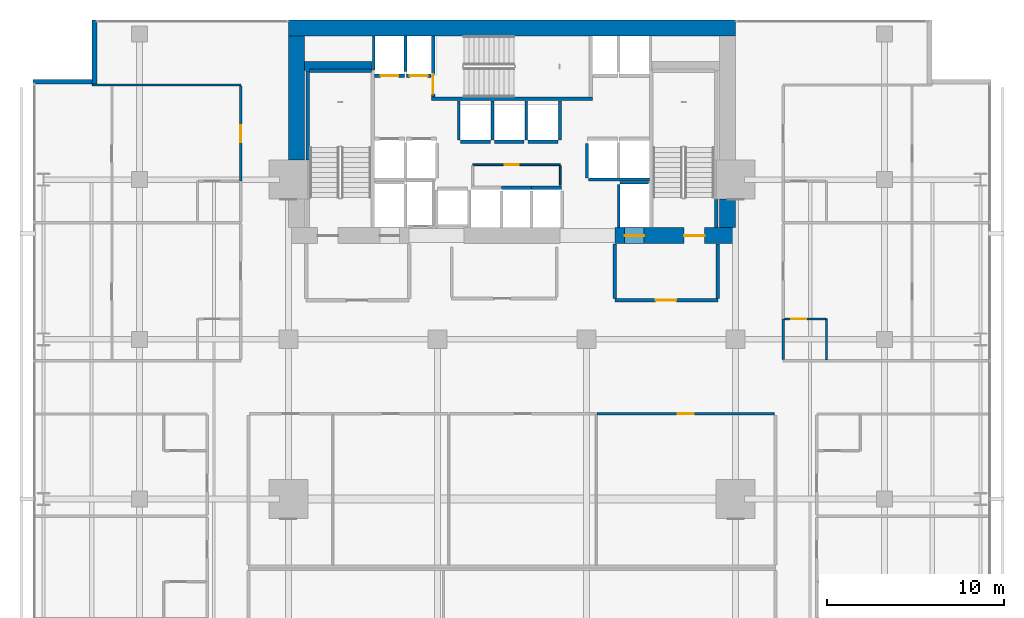
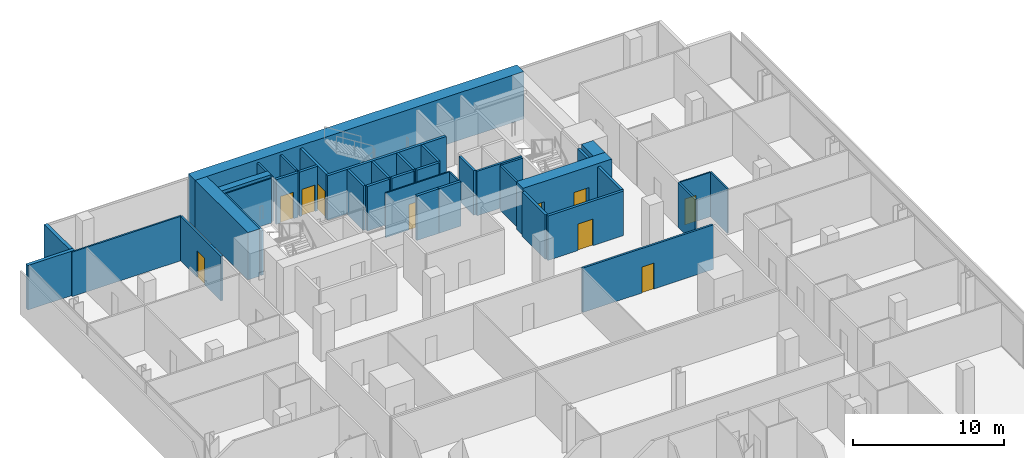
# One storey, part 36 of 40: 40 walls, 10 doors, 10 openings.
"""IFC4 building model written with IfcOpenShell, lengths in metres."""

from ifc_helpers import new_model, si_unit, direction, frame, frame_2d, origin, place, context, subcontext, project, spatial, rectangle, extrude, material, layer, layer_set, type_object, element, fill, save


model = new_model("IFC4")

# Units and contexts
model_context = context("Model", 3, precision=1e-05, world=origin(), true_north=direction((0.0, 1.0)))
body_context = subcontext(model_context, "Body", "Model", "MODEL_VIEW")
ifc_project = project(units=[si_unit("LENGTHUNIT", "METRE"), si_unit("AREAUNIT", "SQUARE_METRE"), si_unit("VOLUMEUNIT", "CUBIC_METRE"), si_unit("PLANEANGLEUNIT", "RADIAN"), si_unit("MASSUNIT", "GRAM", prefix="KILO")], contexts=[model_context])

# Site, building, storey
site_placement = place(None, origin())
site = spatial("IfcSite", under=ifc_project, at=site_placement, CompositionType="ELEMENT")
building_placement = place(site_placement, origin())
building = spatial("IfcBuilding", under=site, at=building_placement, Name="Maruvema Waterfront Hotel and Observation Tower", CompositionType="ELEMENT")
storey_placement = place(building_placement, frame((0.0, 0.0, 88.550048828125)))
storey = spatial("IfcBuildingStorey", under=building, at=storey_placement, Name="L21", CompositionType="ELEMENT", Elevation=88.550048828125)

# Wall, opening, door
ifc_material_1 = material(Name="Twin-stud acoustic gypsum drywall", Category="gypsum")
ifc_layer_1 = layer(ifc_material_1, 0.14990234375, Name="Acoustic Corridor and Suite Demising Wall 150 mm")
ifc_layer_set_1 = layer_set([ifc_layer_1], Name="Twin-stud acoustic gypsum drywall")
wall_type_1 = type_object("IfcWallType", Name="Acoustic Corridor and Suite Demising Wall 150 mm", PredefinedType="PARTITIONING", material=ifc_layer_set_1)
wall_1_placement = place(storey_placement, frame((42.58203125, 31.800048828125, 0.0), z_axis=(0.0, 0.0, 1.0), x_axis=(1.0, 0.0, 0.0)))
wall_1 = element("IfcWall", 1, at=wall_1_placement, inside=storey, type_object=wall_type_1, Name="L21 L21-INTN Front 4 025", PredefinedType="PARTITIONING", context=body_context, shape_type="SweptSolid", body=[
    extrude(rectangle(XDim=10.008056640625, YDim=0.14990234375, at=frame_2d((5.00390625, 0.0))), origin(), (0.0, 0.0, 1.0), 3.60986328125),
])
opening_1_placement = place(wall_1_placement, frame((4.553955078125, 0.0, 0.0)))
opening_1 = element("IfcOpeningElement", 2, at=opening_1_placement, cuts=wall_1, Name="Opening DR-090", PredefinedType="OPENING", context=body_context, shape_type="SweptSolid", body=[
    extrude(rectangle(XDim=0.89990234375, YDim=2.10009765625, at=frame_2d((0.449951171875, 1.050048828125))), frame((0.0, 0.0849609375, 0.0), z_axis=(0.0, -1.0, 0.0), x_axis=(1.0, 0.0, 0.0)), (0.0, 0.0, 1.0), 0.169921875),
])
ifc_material_2 = material(Name="Solid-core lacquered timber leaf", Category="wood")
door_type_1 = type_object("IfcDoorType", Name="Accessible Toilet and Room Door 900x2100 mm", OperationType="NOTDEFINED", PredefinedType="DOOR", material=ifc_material_2)
door_1_placement = place(opening_1_placement, origin())
door_1 = element("IfcDoor", 3, at=door_1_placement, inside=storey, type_object=door_type_1, Name="L21 Butler Kitchenette Door", OperationType="SINGLE_SWING_RIGHT", OverallHeight=2.10009765625, OverallWidth=0.89990234375, PredefinedType="DOOR", context=body_context, shape_type="SweptSolid", body=[
    extrude(rectangle(XDim=0.89990234375, YDim=2.10009765625, at=frame_2d((0.449951171875, 1.050048828125))), frame((0.0, 0.02490234375, 0.0), z_axis=(0.0, -1.0, 0.0), x_axis=(1.0, 0.0, 0.0)), (0.0, 0.0, 1.0), 0.050048828125),
])
fill(opening_1, door_1)

# Wall
wall_2_placement = place(storey_placement, frame((53.080078125, 34.860107421875, 0.0), z_axis=(0.0, 0.0, 1.0), x_axis=(0.0, 1.0, 0.0)))
element("IfcWall", 4, at=wall_2_placement, inside=storey, type_object=wall_type_1, Name="L21 Bath L21-NE1 Wall 102", PredefinedType="PARTITIONING", context=body_context, shape_type="SweptSolid", body=[
    extrude(rectangle(XDim=2.289794921875, YDim=0.14990234375, at=frame_2d((1.14501953125, 0.0))), origin(), (0.0, 0.0, 1.0), 3.60986328125),
])

# Wall, opening, door
wall_3_placement = place(storey_placement, frame((22.52001953125, 44.918701171875, 0.0), z_axis=(0.0, 0.0, 1.0), x_axis=(0.0, 1.0, 0.0)))
wall_3 = element("IfcWall", 5, at=wall_3_placement, inside=storey, type_object=wall_type_1, Name="L21 Room L21-NW2 Corridor Wall 110", PredefinedType="PARTITIONING", context=body_context, shape_type="SweptSolid", body=[
    extrude(rectangle(XDim=5.35888671875, YDim=0.14990234375, at=frame_2d((2.679443359375, 0.0))), origin(), (0.0, 0.0, 1.0), 3.60986328125),
])
opening_2_placement = place(wall_3_placement, frame((2.204345703125, 0.0, 0.0)))
opening_2 = element("IfcOpeningElement", 6, at=opening_2_placement, cuts=wall_3, Name="Opening DR-095", PredefinedType="OPENING", context=body_context, shape_type="SweptSolid", body=[
    extrude(rectangle(XDim=0.949951171875, YDim=2.14990234375, at=frame_2d((0.47509765625, 1.074951171875))), frame((0.0, 0.0849609375, 0.0), z_axis=(0.0, -1.0, 0.0), x_axis=(1.0, 0.0, 0.0)), (0.0, 0.0, 1.0), 0.169921875),
])
ifc_material_3 = material(Name="Acoustic solid-core hardwood timber leaf", Category="wood")
door_type_2 = type_object("IfcDoorType", Name="Guestroom Entrance Fire Door 950x2150 mm", OperationType="NOTDEFINED", PredefinedType="DOOR", material=ifc_material_3)
door_2_placement = place(opening_2_placement, origin())
door_2 = element("IfcDoor", 7, at=door_2_placement, inside=storey, type_object=door_type_2, Name="L21 Room L21-NW2 Entrance Door", OperationType="SINGLE_SWING_RIGHT", OverallHeight=2.14990234375, OverallWidth=0.949951171875, PredefinedType="DOOR", context=body_context, shape_type="SweptSolid", body=[
    extrude(rectangle(XDim=0.949951171875, YDim=2.14990234375, at=frame_2d((0.47509765625, 1.074951171875))), frame((0.0, 0.02490234375, 0.0), z_axis=(0.0, -1.0, 0.0), x_axis=(1.0, 0.0, 0.0)), (0.0, 0.0, 1.0), 0.050048828125),
])
fill(opening_2, door_2)

# Walls
ifc_material_4 = material(Name="Precast concrete C45/55", Category="concrete")
ifc_layer_2 = layer(ifc_material_4, 0.199951171875, Name="Core Shaft and Stairwell Enclosure Wall 200 mm")
ifc_layer_set_2 = layer_set([ifc_layer_2], Name="Precast concrete C45/55")
wall_type_2 = type_object("IfcWallType", Name="Core Shaft and Stairwell Enclosure Wall 200 mm", PredefinedType="SOLIDWALL", material=ifc_layer_set_2)
wall_4_placement = place(storey_placement, frame((26.300048828125, 46.1201171875, 0.0), z_axis=(0.0, 0.0, 1.0), x_axis=(0.0, 1.0, 0.0)))
element("IfcWall", 8, at=wall_4_placement, inside=storey, type_object=wall_type_2, Name="L21 Stairwell ST-01 Shaft Lining Wall", PredefinedType="SOLIDWALL", context=body_context, shape_type="SweptSolid", body=[
    extrude(rectangle(XDim=5.0, YDim=0.199951171875, at=frame_2d((2.5, 0.0))), origin(), (0.0, 0.0, 1.0), 3.60986328125),
])
wall_5_placement = place(storey_placement, frame((26.3798828125, 51.14990234375, 0.0), z_axis=(0.0, 0.0, 1.0), x_axis=(1.0, 0.0, 0.0)))
element("IfcWall", 9, at=wall_5_placement, inside=storey, type_object=wall_type_2, Name="L21 Stairwell ST-01 Shaft Lining Wall", PredefinedType="SOLIDWALL", context=body_context, shape_type="SweptSolid", body=[
    extrude(rectangle(XDim=3.5, YDim=0.199951171875, at=frame_2d((1.75, 0.0))), origin(), (0.0, 0.0, 1.0), 3.60986328125),
])
wall_6_placement = place(storey_placement, frame((33.25, 49.550048828125, 0.0), z_axis=(0.0, 0.0, 1.0), x_axis=(1.0, 0.0, 0.0)))
element("IfcWall", 10, at=wall_6_placement, inside=storey, type_object=wall_type_2, Name="L21 Stairwell ST-02 Shaft Wall", PredefinedType="SOLIDWALL", context=body_context, shape_type="SweptSolid", body=[
    extrude(rectangle(XDim=9.10009765625, YDim=0.199951171875, at=frame_2d((4.550048828125, 0.0))), origin(), (0.0, 0.0, 1.0), 3.60986328125),
])

# Wall, opening, door
wall_7_placement = place(storey_placement, frame((33.35009765625, 49.64990234375, 0.0), z_axis=(0.0, 0.0, 1.0), x_axis=(0.0, 1.0, 0.0)))
wall_7 = element("IfcWall", 11, at=wall_7_placement, inside=storey, type_object=wall_type_2, Name="L21 Stairwell ST-02 Shaft Wall", PredefinedType="SOLIDWALL", context=body_context, shape_type="SweptSolid", body=[
    extrude(rectangle(XDim=3.4501953125, YDim=0.199951171875, at=frame_2d((1.72509765625, 0.0))), origin(), (0.0, 0.0, 1.0), 3.60986328125),
])
opening_3_placement = place(wall_7_placement, frame((0.179931640625, 0.0, 0.0)))
opening_3 = element("IfcOpeningElement", 12, at=opening_3_placement, cuts=wall_7, Name="Opening SD-02", PredefinedType="OPENING", context=body_context, shape_type="SweptSolid", body=[
    extrude(rectangle(XDim=1.10009765625, YDim=2.14990234375, at=frame_2d((0.550048828125, 1.074951171875))), frame((0.0, 0.10986328125, 0.0), z_axis=(0.0, -1.0, 0.0), x_axis=(1.0, 0.0, 0.0)), (0.0, 0.0, 1.0), 0.219970703125),
])
ifc_material_5 = material(Name="Fire-rated galvanised steel leaf", Category="steel")
door_type_3 = type_object("IfcDoorType", Name="Central Exit Stair Fire Door 1100x2150 mm", OperationType="NOTDEFINED", PredefinedType="DOOR", material=ifc_material_5)
door_3_placement = place(opening_3_placement, frame((1.10009765625, 0.0, 0.0), z_axis=(0.0, 0.0, 1.0), x_axis=(-1.0, 0.0, 0.0)))
door_3 = element("IfcDoor", 13, at=door_3_placement, inside=storey, type_object=door_type_3, Name="L21 Exit Stair ST-02 Fire Door", OperationType="SINGLE_SWING_LEFT", OverallHeight=2.14990234375, OverallWidth=1.10009765625, PredefinedType="DOOR", context=body_context, shape_type="SweptSolid", body=[
    extrude(rectangle(XDim=1.10009765625, YDim=2.14990234375, at=frame_2d((0.550048828125, 1.074951171875))), frame((0.0, 0.02490234375, 0.0), z_axis=(0.0, -1.0, 0.0), x_axis=(1.0, 0.0, 0.0)), (0.0, 0.0, 1.0), 0.050048828125),
])
fill(opening_3, door_3)

# Wall
wall_8_placement = place(storey_placement, frame((49.300048828125, 42.300048828125, 0.0), z_axis=(0.0, 0.0, 1.0), x_axis=(0.0, 1.0, 0.0)))
element("IfcWall", 14, at=wall_8_placement, inside=storey, type_object=wall_type_2, Name="L21 Stairwell ST-03 Shaft Lining Wall", PredefinedType="SOLIDWALL", context=body_context, shape_type="SweptSolid", body=[
    extrude(rectangle(XDim=1.579833984375, YDim=0.199951171875, at=frame_2d((0.7900390625, 0.0))), origin(), (0.0, 0.0, 1.0), 3.60986328125),
])

# Wall, opening, door
wall_9_placement = place(storey_placement, frame((30.06005859375, 50.85009765625, 0.0), z_axis=(0.0, 0.0, 1.0), x_axis=(1.0, 0.0, 0.0)))
wall_9 = element("IfcWall", 15, at=wall_9_placement, inside=storey, type_object=wall_type_2, Name="L21 Lift LF-03 Hoistway Front Wall", PredefinedType="SOLIDWALL", context=body_context, shape_type="SweptSolid", body=[
    extrude(rectangle(XDim=1.679931640625, YDim=0.199951171875, at=frame_2d((0.83984375, 0.0))), origin(), (0.0, 0.0, 1.0), 3.60986328125),
])
opening_4_placement = place(wall_9_placement, frame((0.340087890625, 0.0, 0.0)))
opening_4 = element("IfcOpeningElement", 16, at=opening_4_placement, cuts=wall_9, Name="Opening LD-01", PredefinedType="OPENING", context=body_context, shape_type="SweptSolid", body=[
    extrude(rectangle(XDim=1.0, YDim=2.14990234375, at=frame_2d((0.5, 1.074951171875))), frame((0.0, 0.10986328125, 0.0), z_axis=(0.0, -1.0, 0.0), x_axis=(1.0, 0.0, 0.0)), (0.0, 0.0, 1.0), 0.219970703125),
])
ifc_material_6 = material(Name="Brushed stainless steel Grade 316", Category="steel")
door_type_4 = type_object("IfcDoorType", Name="Passenger Lift Sliding Landing Door 1000x2150 mm", OperationType="SLIDING_TO_LEFT", PredefinedType="DOOR", material=ifc_material_6)
door_4_placement = place(opening_4_placement, frame((1.0, 0.0, 0.0), z_axis=(0.0, 0.0, 1.0), x_axis=(-1.0, 0.0, 0.0)))
door_4 = element("IfcDoor", 17, at=door_4_placement, inside=storey, type_object=door_type_4, Name="L21 Lift LF-03 Sliding Landing Door", OperationType="SLIDING_TO_LEFT", OverallHeight=2.14990234375, OverallWidth=1.0, PredefinedType="DOOR", context=body_context, shape_type="SweptSolid", body=[
    extrude(rectangle(XDim=1.0, YDim=2.14990234375, at=frame_2d((0.5, 1.074951171875))), frame((0.0, 0.02490234375, 0.0), z_axis=(0.0, -1.0, 0.0), x_axis=(1.0, 0.0, 0.0)), (0.0, 0.0, 1.0), 0.050048828125),
])
fill(opening_4, door_4)

wall_10_placement = place(storey_placement, frame((31.860107421875, 50.85009765625, 0.0), z_axis=(0.0, 0.0, 1.0), x_axis=(1.0, 0.0, 0.0)))
wall_10 = element("IfcWall", 18, at=wall_10_placement, inside=storey, type_object=wall_type_2, Name="L21 Lift LF-04 Hoistway Front Wall", PredefinedType="SOLIDWALL", context=body_context, shape_type="SweptSolid", body=[
    extrude(rectangle(XDim=1.3798828125, YDim=0.199951171875, at=frame_2d((0.68994140625, 0.0))), origin(), (0.0, 0.0, 1.0), 3.60986328125),
])
opening_5_placement = place(wall_10_placement, frame((0.18994140625, 0.0, 0.0)))
opening_5 = element("IfcOpeningElement", 19, at=opening_5_placement, cuts=wall_10, Name="Opening LD-01", PredefinedType="OPENING", context=body_context, shape_type="SweptSolid", body=[
    extrude(rectangle(XDim=1.0, YDim=2.14990234375, at=frame_2d((0.5, 1.074951171875))), frame((0.0, 0.10986328125, 0.0), z_axis=(0.0, -1.0, 0.0), x_axis=(1.0, 0.0, 0.0)), (0.0, 0.0, 1.0), 0.219970703125),
])
door_5_placement = place(opening_5_placement, frame((1.0, 0.0, 0.0), z_axis=(0.0, 0.0, 1.0), x_axis=(-1.0, 0.0, 0.0)))
door_5 = element("IfcDoor", 20, at=door_5_placement, inside=storey, type_object=door_type_4, Name="L21 Lift LF-04 Sliding Landing Door", OperationType="SLIDING_TO_LEFT", OverallHeight=2.14990234375, OverallWidth=1.0, PredefinedType="DOOR", context=body_context, shape_type="SweptSolid", body=[
    extrude(rectangle(XDim=1.0, YDim=2.14990234375, at=frame_2d((0.5, 1.074951171875))), frame((0.0, 0.02490234375, 0.0), z_axis=(0.0, -1.0, 0.0), x_axis=(1.0, 0.0, 0.0)), (0.0, 0.0, 1.0), 0.050048828125),
])
fill(opening_5, door_5)

# Walls
wall_11_placement = place(storey_placement, frame((37.2099609375, 44.550048828125, 0.0), z_axis=(0.0, 0.0, 1.0), x_axis=(1.0, 0.0, 0.0)))
element("IfcWall", 21, at=wall_11_placement, inside=storey, type_object=wall_type_2, Name="L21 Lift LF-10 Hoistway Front Wall", PredefinedType="SOLIDWALL", context=body_context, shape_type="SweptSolid", body=[
    extrude(rectangle(XDim=1.679931640625, YDim=0.199951171875, at=frame_2d((0.83984375, 0.0))), origin(), (0.0, 0.0, 1.0), 3.60986328125),
])
for number, where, z_axis, x_axis, name in (
    (22, (38.909912109375, 44.550048828125, 0.0), (0.0, 0.0, 1.0), (1.0, 0.0, 0.0), "L21 Lift LF-11 Hoistway Front Wall"),
    (23, (34.909912109375, 47.14990234375, 0.0), (0.0, 0.0, 1.0), (1.0, 0.0, 0.0), "L21 Lift LF-12 Hoistway Front Wall"),
):
    element("IfcWall", number, at=place(storey_placement, frame(where, z_axis=z_axis, x_axis=x_axis)), inside=storey, type_object=wall_type_2, Name=name, PredefinedType="SOLIDWALL", context=body_context, shape_type="SweptSolid", body=[
        extrude(rectangle(XDim=1.68017578125, YDim=0.199951171875, at=frame_2d((0.840087890625, 0.0))), origin(), (0.0, 0.0, 1.0), 3.60986328125),
    ])
for number, where, z_axis, x_axis, name in (
    (24, (36.81005859375, 47.14990234375, 0.0), (0.0, 0.0, 1.0), (1.0, 0.0, 0.0), "L21 Lift LF-13 Hoistway Front Wall"),
    (25, (38.7099609375, 47.14990234375, 0.0), (0.0, 0.0, 1.0), (1.0, 0.0, 0.0), "L21 Lift LF-14 Hoistway Front Wall"),
):
    element("IfcWall", number, at=place(storey_placement, frame(where, z_axis=z_axis, x_axis=x_axis)), inside=storey, type_object=wall_type_2, Name=name, PredefinedType="SOLIDWALL", context=body_context, shape_type="SweptSolid", body=[
        extrude(rectangle(XDim=1.679931640625, YDim=0.199951171875, at=frame_2d((0.83984375, 0.0))), origin(), (0.0, 0.0, 1.0), 3.60986328125),
    ])
ifc_material_7 = material(Name="Concrete C70/85", Category="concrete")
ifc_layer_3 = layer(ifc_material_7, 0.5, Name="Core Shear Wall 500 mm")
ifc_layer_set_3 = layer_set([ifc_layer_3], Name="Concrete C70/85")
wall_type_3 = type_object("IfcWallType", Name="Core Shear Wall 500 mm", PredefinedType="SHEAR", material=ifc_layer_set_3)
wall_12_placement = place(storey_placement, frame((26.10009765625, 51.39990234375, 0.0), z_axis=(0.0, 0.0, 1.0), x_axis=(1.0, 0.0, 0.0)))
element("IfcWall", 26, at=wall_12_placement, inside=storey, type_object=wall_type_3, Name="L21 Internal Core Shear Wall NW 500 mm", PredefinedType="SHEAR", context=body_context, shape_type="SweptSolid", body=[
    extrude(rectangle(XDim=3.7998046875, YDim=0.5, at=frame_2d((1.89990234375, 0.0))), origin(), (0.0, 0.0, 1.0), 3.849853515625),
])
ifc_material_8 = material(Name="Concrete C80/95", Category="concrete")
ifc_layer_4 = layer(ifc_material_8, 0.89990234375, Name="Core Shear Wall 900 mm")
ifc_layer_set_4 = layer_set([ifc_layer_4], Name="Concrete C80/95")
wall_type_4 = type_object("IfcWallType", Name="Core Shear Wall 900 mm", PredefinedType="SHEAR", material=ifc_layer_set_4)
wall_13_placement = place(storey_placement, frame((25.199951171875, 53.550048828125, 0.0), z_axis=(0.0, 0.0, 1.0), x_axis=(1.0, 0.0, 0.0)))
element("IfcWall", 27, at=wall_13_placement, inside=storey, type_object=wall_type_4, Name="L21 North Core Shear Wall", PredefinedType="SHEAR", context=body_context, shape_type="SweptSolid", body=[
    extrude(rectangle(XDim=25.199951171875, YDim=0.89990234375, at=frame_2d((12.60009765625, 0.0))), origin(), (0.0, 0.0, 1.0), 3.849853515625),
])

# Wall, openings, doors
wall_14_placement = place(storey_placement, frame((43.60009765625, 41.85009765625, 0.0), z_axis=(0.0, 0.0, 1.0), x_axis=(1.0, 0.0, 0.0)))
wall_14 = element("IfcWall", 28, at=wall_14_placement, inside=storey, type_object=wall_type_4, Name="L21 South-East Core Shear Wall", PredefinedType="SHEAR", context=body_context, shape_type="SweptSolid", body=[
    extrude(rectangle(XDim=6.7998046875, YDim=0.89990234375, at=frame_2d((3.39990234375, 0.0))), origin(), (0.0, 0.0, 1.0), 3.849853515625),
])
opening_6_placement = place(wall_14_placement, frame((3.89990234375, 0.0, 0.0)))
opening_6 = element("IfcOpeningElement", 29, at=opening_6_placement, cuts=wall_14, Name="Opening SD-01", PredefinedType="OPENING", context=body_context, shape_type="SweptSolid", body=[
    extrude(rectangle(XDim=1.14990234375, YDim=2.14990234375, at=frame_2d((0.574951171875, 1.074951171875))), frame((0.0, 0.4599609375, 0.0), z_axis=(0.0, -1.0, 0.0), x_axis=(1.0, 0.0, 0.0)), (0.0, 0.0, 1.0), 0.919921875),
])
opening_7_placement = place(wall_14_placement, frame((0.550048828125, 0.0, 0.0)))
opening_7 = element("IfcOpeningElement", 30, at=opening_7_placement, cuts=wall_14, Name="Opening LD-03", PredefinedType="OPENING", context=body_context, shape_type="SweptSolid", body=[
    extrude(rectangle(XDim=1.10009765625, YDim=2.199951171875, at=frame_2d((0.550048828125, 1.10009765625))), frame((0.0, 0.4599609375, 0.0), z_axis=(0.0, -1.0, 0.0), x_axis=(1.0, 0.0, 0.0)), (0.0, 0.0, 1.0), 0.919921875),
])
ifc_material_9 = material(Name="Fire-rated galvanised steel leaf", Category="steel")
door_type_5 = type_object("IfcDoorType", Name="Exit Stair Fire Door 1150x2150 mm", OperationType="NOTDEFINED", PredefinedType="DOOR", material=ifc_material_9)
door_6_placement = place(opening_6_placement, origin())
door_6 = element("IfcDoor", 31, at=door_6_placement, inside=storey, type_object=door_type_5, Name="L21 Exit Stair ST-03 Fire Door", OperationType="SINGLE_SWING_RIGHT", OverallHeight=2.14990234375, OverallWidth=1.14990234375, PredefinedType="DOOR", context=body_context, shape_type="SweptSolid", body=[
    extrude(rectangle(XDim=1.14990234375, YDim=2.14990234375, at=frame_2d((0.574951171875, 1.074951171875))), frame((0.0, 0.02490234375, 0.0), z_axis=(0.0, -1.0, 0.0), x_axis=(1.0, 0.0, 0.0)), (0.0, 0.0, 1.0), 0.050048828125),
])
fill(opening_6, door_6)
ifc_material_10 = material(Name="Brushed stainless steel Grade 316", Category="steel")
door_type_6 = type_object("IfcDoorType", Name="Firefighting Lift Sliding Landing Door 1100x2200 mm", OperationType="SLIDING_TO_LEFT", PredefinedType="DOOR", material=ifc_material_10)
door_7_placement = place(opening_7_placement, frame((1.10009765625, 0.0, 0.0), z_axis=(0.0, 0.0, 1.0), x_axis=(-1.0, 0.0, 0.0)))
door_7 = element("IfcDoor", 32, at=door_7_placement, inside=storey, type_object=door_type_6, Name="L21 Firefighting Lift FL-02 Landing Door", OperationType="SLIDING_TO_LEFT", OverallHeight=2.199951171875, OverallWidth=1.10009765625, PredefinedType="DOOR", context=body_context, shape_type="SweptSolid", body=[
    extrude(rectangle(XDim=1.10009765625, YDim=2.199951171875, at=frame_2d((0.550048828125, 1.10009765625))), frame((0.0, 0.02490234375, 0.0), z_axis=(0.0, -1.0, 0.0), x_axis=(1.0, 0.0, 0.0)), (0.0, 0.0, 1.0), 0.050048828125),
])
fill(opening_7, door_7)

# Walls
wall_15_placement = place(storey_placement, frame((25.64990234375, 46.10009765625, 0.0), z_axis=(0.0, 0.0, 1.0), x_axis=(0.0, 1.0, 0.0)))
element("IfcWall", 33, at=wall_15_placement, inside=storey, type_object=wall_type_4, Name="L21 West-North Core Shear Wall", PredefinedType="SHEAR", context=body_context, shape_type="SweptSolid", body=[
    extrude(rectangle(XDim=7.0, YDim=0.89990234375, at=frame_2d((3.5, 0.0))), origin(), (0.0, 0.0, 1.0), 3.849853515625),
])
wall_16_placement = place(storey_placement, frame((49.949951171875, 42.300048828125, 0.0), z_axis=(0.0, 0.0, 1.0), x_axis=(0.0, 1.0, 0.0)))
element("IfcWall", 34, at=wall_16_placement, inside=storey, type_object=wall_type_4, Name="L21 East-South Core Shear Wall", PredefinedType="SHEAR", context=body_context, shape_type="SweptSolid", body=[
    extrude(rectangle(XDim=1.599853515625, YDim=0.89990234375, at=frame_2d((0.7998046875, 0.0))), origin(), (0.0, 0.0, 1.0), 3.849853515625),
])

# Wall, opening, door
ifc_material_11 = material(Name="Moisture-resistant cement-board drywall", Category="gypsum")
ifc_layer_5 = layer(ifc_material_11, 0.10009765625, Name="En-Suite Moisture-Resistant Partition 100 mm")
ifc_layer_set_5 = layer_set([ifc_layer_5], Name="Moisture-resistant cement-board drywall")
wall_type_5 = type_object("IfcWallType", Name="En-Suite Moisture-Resistant Partition 100 mm", PredefinedType="PARTITIONING", material=ifc_layer_set_5)
wall_17_placement = place(storey_placement, frame((35.580078125, 45.840087890625, 0.0), z_axis=(0.0, 0.0, 1.0), x_axis=(1.0, 0.0, 0.0)))
wall_17 = element("IfcWall", 35, at=wall_17_placement, inside=storey, type_object=wall_type_5, Name="L21 Core Closet K0 North 010", PredefinedType="PARTITIONING", context=body_context, shape_type="SweptSolid", body=[
    extrude(rectangle(XDim=4.93994140625, YDim=0.10009765625, at=frame_2d((2.469970703125, 0.0))), origin(), (0.0, 0.0, 1.0), 3.60986328125),
])
opening_8_placement = place(wall_17_placement, frame((1.800048828125, 0.0, 0.0)))
opening_8 = element("IfcOpeningElement", 36, at=opening_8_placement, cuts=wall_17, Name="Opening DR-080", PredefinedType="OPENING", context=body_context, shape_type="SweptSolid", body=[
    extrude(rectangle(XDim=0.800048828125, YDim=2.050048828125, at=frame_2d((0.39990234375, 1.02490234375))), frame((0.0, 0.06005859375, 0.0), z_axis=(0.0, -1.0, 0.0), x_axis=(1.0, 0.0, 0.0)), (0.0, 0.0, 1.0), 0.1201171875),
])
ifc_material_12 = material(Name="Powder-coated steel access leaf", Category="steel")
door_type_7 = type_object("IfcDoorType", Name="Riser and Service Cupboard Door 800x2050 mm", OperationType="NOTDEFINED", PredefinedType="DOOR", material=ifc_material_12)
door_8_placement = place(opening_8_placement, origin())
door_8 = element("IfcDoor", 37, at=door_8_placement, inside=storey, type_object=door_type_7, Name="L21 Core Electrical Closet Door", OperationType="SINGLE_SWING_LEFT", OverallHeight=2.050048828125, OverallWidth=0.800048828125, PredefinedType="DOOR", context=body_context, shape_type="SweptSolid", body=[
    extrude(rectangle(XDim=0.800048828125, YDim=2.050048828125, at=frame_2d((0.39990234375, 1.02490234375))), frame((0.0, 0.02490234375, 0.0), z_axis=(0.0, -1.0, 0.0), x_axis=(1.0, 0.0, 0.0)), (0.0, 0.0, 1.0), 0.050048828125),
])
fill(opening_8, door_8)

# Walls
wall_18_placement = place(storey_placement, frame((40.52001953125, 44.699951171875, 0.0), z_axis=(0.0, 0.0, 1.0), x_axis=(0.0, 1.0, 0.0)))
element("IfcWall", 38, at=wall_18_placement, inside=storey, type_object=wall_type_5, Name="L21 Core Closet K0 East 012", PredefinedType="PARTITIONING", context=body_context, shape_type="SweptSolid", body=[
    extrude(rectangle(XDim=1.080078125, YDim=0.10009765625, at=frame_2d((0.5400390625, 0.0))), origin(), (0.0, 0.0, 1.0), 3.60986328125),
])
wall_19_placement = place(storey_placement, frame((55.530029296875, 34.860107421875, 0.0), z_axis=(0.0, 0.0, 1.0), x_axis=(0.0, 1.0, 0.0)))
element("IfcWall", 39, at=wall_19_placement, inside=storey, type_object=wall_type_5, Name="L21 En-Suite L21-NE1 E 104", PredefinedType="PARTITIONING", context=body_context, shape_type="SweptSolid", body=[
    extrude(rectangle(XDim=2.289794921875, YDim=0.10009765625, at=frame_2d((1.14501953125, 0.0))), origin(), (0.0, 0.0, 1.0), 3.60986328125),
])

# Wall, opening, door
wall_20_placement = place(storey_placement, frame((53.179931640625, 37.14990234375, 0.0), z_axis=(0.0, 0.0, 1.0), x_axis=(1.0, 0.0, 0.0)))
wall_20 = element("IfcWall", 40, at=wall_20_placement, inside=storey, type_object=wall_type_5, Name="L21 En-Suite L21-NE1 N 105", PredefinedType="PARTITIONING", context=body_context, shape_type="SweptSolid", body=[
    extrude(rectangle(XDim=2.300048828125, YDim=0.10009765625, at=frame_2d((1.14990234375, 0.0))), origin(), (0.0, 0.0, 1.0), 3.60986328125),
])
opening_9_placement = place(wall_20_placement, frame((0.35009765625, 0.0, 0.0)))
opening_9 = element("IfcOpeningElement", 41, at=opening_9_placement, cuts=wall_20, Name="Opening DR-085", PredefinedType="OPENING", context=body_context, shape_type="SweptSolid", body=[
    extrude(rectangle(XDim=0.85009765625, YDim=2.10009765625, at=frame_2d((0.425048828125, 1.050048828125))), frame((0.0, 0.06005859375, 0.0), z_axis=(0.0, -1.0, 0.0), x_axis=(1.0, 0.0, 0.0)), (0.0, 0.0, 1.0), 0.1201171875),
])
ifc_material_13 = material(Name="Moisture-resistant solid timber leaf", Category="wood")
door_type_8 = type_object("IfcDoorType", Name="En-Suite Bathroom Door 850x2100 mm", OperationType="NOTDEFINED", PredefinedType="DOOR", material=ifc_material_13)
door_9_placement = place(opening_9_placement, origin())
door_9 = element("IfcDoor", 42, at=door_9_placement, inside=storey, type_object=door_type_8, Name="L21 En-Suite L21-NE1 Door", OperationType="SINGLE_SWING_RIGHT", OverallHeight=2.10009765625, OverallWidth=0.85009765625, PredefinedType="DOOR", context=body_context, shape_type="SweptSolid", body=[
    extrude(rectangle(XDim=0.85009765625, YDim=2.10009765625, at=frame_2d((0.425048828125, 1.050048828125))), frame((0.0, 0.02490234375, 0.0), z_axis=(0.0, -1.0, 0.0), x_axis=(1.0, 0.0, 0.0)), (0.0, 0.0, 1.0), 0.050048828125),
])
fill(opening_9, door_9)

# Walls
ifc_material_14 = material(Name="Precast concrete C45/55 with honed Pernambuco granite facing", Category="masonry")
ifc_layer_6 = layer(ifc_material_14, 0.260009765625, Name="Exterior Granite Clad Spandrel and Pier Wall 260 mm")
ifc_layer_set_6 = layer_set([ifc_layer_6], Name="Precast concrete C45/55 with honed Pernambuco granite facing")
wall_type_6 = type_object("IfcWallType", Name="Exterior Granite Clad Spandrel and Pier Wall 260 mm", PredefinedType="SOLIDWALL", material=ifc_layer_set_6)
wall_21_placement = place(storey_placement, frame((14.27001953125, 50.39990234375, 0.0), z_axis=(0.0, 0.0, 1.0), x_axis=(0.0, 1.0, 0.0)))
element("IfcWall", 43, at=wall_21_placement, inside=storey, type_object=wall_type_6, Name="L21 Corner Notch Granite Pier Wall NW1", PredefinedType="SOLIDWALL", context=body_context, shape_type="SweptSolid", body=[
    extrude(rectangle(XDim=3.60009765625, YDim=0.260009765625, at=frame_2d((1.800048828125, 0.0))), origin(), (0.0, 0.0, 1.0), 3.60986328125),
])
wall_22_placement = place(storey_placement, frame((10.800048828125, 50.530029296875, 0.0), z_axis=(0.0, 0.0, 1.0), x_axis=(1.0, 0.0, 0.0)))
element("IfcWall", 44, at=wall_22_placement, inside=storey, type_object=wall_type_6, Name="L21 Corner Notch Granite Pier Wall NW2", PredefinedType="SOLIDWALL", context=body_context, shape_type="SweptSolid", body=[
    extrude(rectangle(XDim=3.599853515625, YDim=0.260009765625, at=frame_2d((1.7998046875, 0.0))), origin(), (0.0, 0.0, 1.0), 3.60986328125),
])

# Wall, opening, door
ifc_material_15 = material(Name="Autoclaved cellular concrete blockwork", Category="masonry")
ifc_layer_7 = layer(ifc_material_15, 0.199951171875, Name="Fire Compartment Masonry Wall 200 mm")
ifc_layer_set_7 = layer_set([ifc_layer_7], Name="Autoclaved cellular concrete blockwork")
wall_type_7 = type_object("IfcWallType", Name="Fire Compartment Masonry Wall 200 mm", PredefinedType="PARTITIONING", material=ifc_layer_set_7)
wall_23_placement = place(storey_placement, frame((43.60009765625, 38.199951171875, 0.0), z_axis=(0.0, 0.0, 1.0), x_axis=(1.0, 0.0, 0.0)))
wall_23 = element("IfcWall", 45, at=wall_23_placement, inside=storey, type_object=wall_type_7, Name="L21 FFL East South Wall 004", PredefinedType="PARTITIONING", context=body_context, shape_type="SweptSolid", body=[
    extrude(rectangle(XDim=5.7998046875, YDim=0.199951171875, at=frame_2d((2.89990234375, 0.0))), origin(), (0.0, 0.0, 1.0), 3.60986328125),
])
opening_10_placement = place(wall_23_placement, frame((2.300048828125, 0.0, 0.0)))
opening_10 = element("IfcOpeningElement", 46, at=opening_10_placement, cuts=wall_23, Name="Opening FD-115", PredefinedType="OPENING", context=body_context, shape_type="SweptSolid", body=[
    extrude(rectangle(XDim=1.14990234375, YDim=2.14990234375, at=frame_2d((0.574951171875, 1.074951171875))), frame((0.0, 0.10986328125, 0.0), z_axis=(0.0, -1.0, 0.0), x_axis=(1.0, 0.0, 0.0)), (0.0, 0.0, 1.0), 0.219970703125),
])
ifc_material_16 = material(Name="Fire-rated galvanised steel and vision glass", Category="steel")
door_type_9 = type_object("IfcDoorType", Name="Firefighting Lobby Fire Door 1150x2150 mm", OperationType="NOTDEFINED", PredefinedType="DOOR", material=ifc_material_16)
door_10_placement = place(opening_10_placement, frame((1.14990234375, 0.0, 0.0), z_axis=(0.0, 0.0, 1.0), x_axis=(-1.0, 0.0, 0.0)))
door_10 = element("IfcDoor", 47, at=door_10_placement, inside=storey, type_object=door_type_9, Name="L21 Firefighting Lobby East Door", OperationType="SINGLE_SWING_LEFT", OverallHeight=2.14990234375, OverallWidth=1.14990234375, PredefinedType="DOOR", context=body_context, shape_type="SweptSolid", body=[
    extrude(rectangle(XDim=1.14990234375, YDim=2.14990234375, at=frame_2d((0.574951171875, 1.074951171875))), frame((0.0, 0.02490234375, 0.0), z_axis=(0.0, -1.0, 0.0), x_axis=(1.0, 0.0, 0.0)), (0.0, 0.0, 1.0), 0.050048828125),
])
fill(opening_10, door_10)

# Walls
for number, where, z_axis, x_axis, name in (
    (48, (43.60009765625, 38.31005859375, 0.0), (0.0, 0.0, 1.0), (0.0, 1.0, 0.0), "L21 FFL East West Wall 005"),
    (49, (49.39990234375, 38.31005859375, 0.0), (0.0, 0.0, 1.0), (0.0, 1.0, 0.0), "L21 FFL East East Wall 006"),
):
    element("IfcWall", number, at=place(storey_placement, frame(where, z_axis=z_axis, x_axis=x_axis)), inside=storey, type_object=wall_type_7, Name=name, PredefinedType="PARTITIONING", context=body_context, shape_type="SweptSolid", body=[
        extrude(rectangle(XDim=3.06982421875, YDim=0.199951171875, at=frame_2d((1.534912109375, 0.0))), origin(), (0.0, 0.0, 1.0), 3.60986328125),
    ])
ifc_material_17 = material(Name="Acoustic gypsum plasterboard drywall", Category="gypsum")
ifc_layer_8 = layer(ifc_material_17, 0.125, Name="Guestroom Acoustic Demising Wall 125 mm")
ifc_layer_set_8 = layer_set([ifc_layer_8], Name="Acoustic gypsum plasterboard drywall")
wall_type_8 = type_object("IfcWallType", Name="Guestroom Acoustic Demising Wall 125 mm", PredefinedType="PARTITIONING", material=ifc_layer_set_8)
wall_24_placement = place(storey_placement, frame((14.139892578125, 50.33740234375, 0.0), z_axis=(0.0, 0.0, 1.0), x_axis=(1.0, 0.0, 0.0)))
element("IfcWall", 50, at=wall_24_placement, inside=storey, type_object=wall_type_8, Name="L21 NW Top End 095", PredefinedType="PARTITIONING", context=body_context, shape_type="SweptSolid", body=[
    extrude(rectangle(XDim=8.380126953125, YDim=0.125, at=frame_2d((4.18994140625, 0.0))), origin(), (0.0, 0.0, 1.0), 3.60986328125),
])
ifc_material_18 = material(Name="Precast concrete C45/55", Category="concrete")
ifc_layer_9 = layer(ifc_material_18, 0.159912109375, Name="Lift Hoistway Divider Wall 160 mm")
ifc_layer_set_9 = layer_set([ifc_layer_9], Name="Precast concrete C45/55")
wall_type_9 = type_object("IfcWallType", Name="Lift Hoistway Divider Wall 160 mm", PredefinedType="SOLIDWALL", material=ifc_layer_set_9)
wall_25_placement = place(storey_placement, frame((43.89990234375, 44.830078125, 0.0), z_axis=(0.0, 0.0, 1.0), x_axis=(1.0, 0.0, 0.0)))
element("IfcWall", 51, at=wall_25_placement, inside=storey, type_object=wall_type_9, Name="L21 Lift FL-02 Rear Hoistway Wall", PredefinedType="SOLIDWALL", context=body_context, shape_type="SweptSolid", body=[
    extrude(rectangle(XDim=1.60009765625, YDim=0.159912109375, at=frame_2d((0.800048828125, 0.0))), origin(), (0.0, 0.0, 1.0), 3.60986328125),
])
wall_26_placement = place(storey_placement, frame((43.820068359375, 42.300048828125, 0.0), z_axis=(0.0, 0.0, 1.0), x_axis=(0.0, 1.0, 0.0)))
element("IfcWall", 52, at=wall_26_placement, inside=storey, type_object=wall_type_9, Name="L21 Lift FL-02 Inner Hoistway Wall", PredefinedType="SOLIDWALL", context=body_context, shape_type="SweptSolid", body=[
    extrude(rectangle(XDim=2.43994140625, YDim=0.159912109375, at=frame_2d((1.219970703125, 0.0))), origin(), (0.0, 0.0, 1.0), 3.60986328125),
])
wall_27_placement = place(storey_placement, frame((30.010009765625, 51.179931640625, 0.0), z_axis=(0.0, 0.0, 1.0), x_axis=(0.0, 1.0, 0.0)))
element("IfcWall", 53, at=wall_27_placement, inside=storey, type_object=wall_type_9, Name="L21 Hoistway Divider Wall", PredefinedType="SOLIDWALL", context=body_context, shape_type="SweptSolid", body=[
    extrude(rectangle(XDim=1.920166015625, YDim=0.159912109375, at=frame_2d((0.9599609375, 0.0))), origin(), (0.0, 0.0, 1.0), 3.60986328125),
])
wall_28_placement = place(storey_placement, frame((31.800048828125, 51.10009765625, 0.0), z_axis=(0.0, 0.0, 1.0), x_axis=(0.0, 1.0, 0.0)))
element("IfcWall", 54, at=wall_28_placement, inside=storey, type_object=wall_type_9, Name="L21 Hoistway Divider Wall", PredefinedType="SOLIDWALL", context=body_context, shape_type="SweptSolid", body=[
    extrude(rectangle(XDim=2.0, YDim=0.159912109375, at=frame_2d((1.0, 0.0))), origin(), (0.0, 0.0, 1.0), 3.60986328125),
])
wall_29_placement = place(storey_placement, frame((42.02001953125, 45.10009765625, 0.0), z_axis=(0.0, 0.0, 1.0), x_axis=(0.0, 1.0, 0.0)))
element("IfcWall", 55, at=wall_29_placement, inside=storey, type_object=wall_type_9, Name="L21 Hoistway Divider Wall", PredefinedType="SOLIDWALL", context=body_context, shape_type="SweptSolid", body=[
    extrude(rectangle(XDim=1.949951171875, YDim=0.159912109375, at=frame_2d((0.97509765625, 0.0))), origin(), (0.0, 0.0, 1.0), 3.60986328125),
])
wall_30_placement = place(storey_placement, frame((42.10009765625, 45.010009765625, 0.0), z_axis=(0.0, 0.0, 1.0), x_axis=(1.0, 0.0, 0.0)))
element("IfcWall", 56, at=wall_30_placement, inside=storey, type_object=wall_type_9, Name="L21 Hoistway Divider Wall", PredefinedType="SOLIDWALL", context=body_context, shape_type="SweptSolid", body=[
    extrude(rectangle(XDim=3.449951171875, YDim=0.159912109375, at=frame_2d((1.72509765625, 0.0))), origin(), (0.0, 0.0, 1.0), 3.60986328125),
])
for number, where, z_axis, x_axis, name in (
    (57, (34.800048828125, 47.25, 0.0), (0.0, 0.0, 1.0), (0.0, 1.0, 0.0), "L21 Hoistway Divider Wall"),
    (58, (36.699951171875, 47.25, 0.0), (0.0, 0.0, 1.0), (0.0, 1.0, 0.0), "L21 Hoistway Divider Wall"),
    (59, (38.60009765625, 47.25, 0.0), (0.0, 0.0, 1.0), (0.0, 1.0, 0.0), "L21 Hoistway Divider Wall"),
    (60, (40.5, 47.25, 0.0), (0.0, 0.0, 1.0), (0.0, 1.0, 0.0), "L21 Hoistway Divider Wall"),
):
    element("IfcWall", number, at=place(storey_placement, frame(where, z_axis=z_axis, x_axis=x_axis)), inside=storey, type_object=wall_type_9, Name=name, PredefinedType="SOLIDWALL", context=body_context, shape_type="SweptSolid", body=[
        extrude(rectangle(XDim=2.18994140625, YDim=0.159912109375, at=frame_2d((1.094970703125, 0.0))), origin(), (0.0, 0.0, 1.0), 3.60986328125),
    ])

save(model, "model.ifc")
